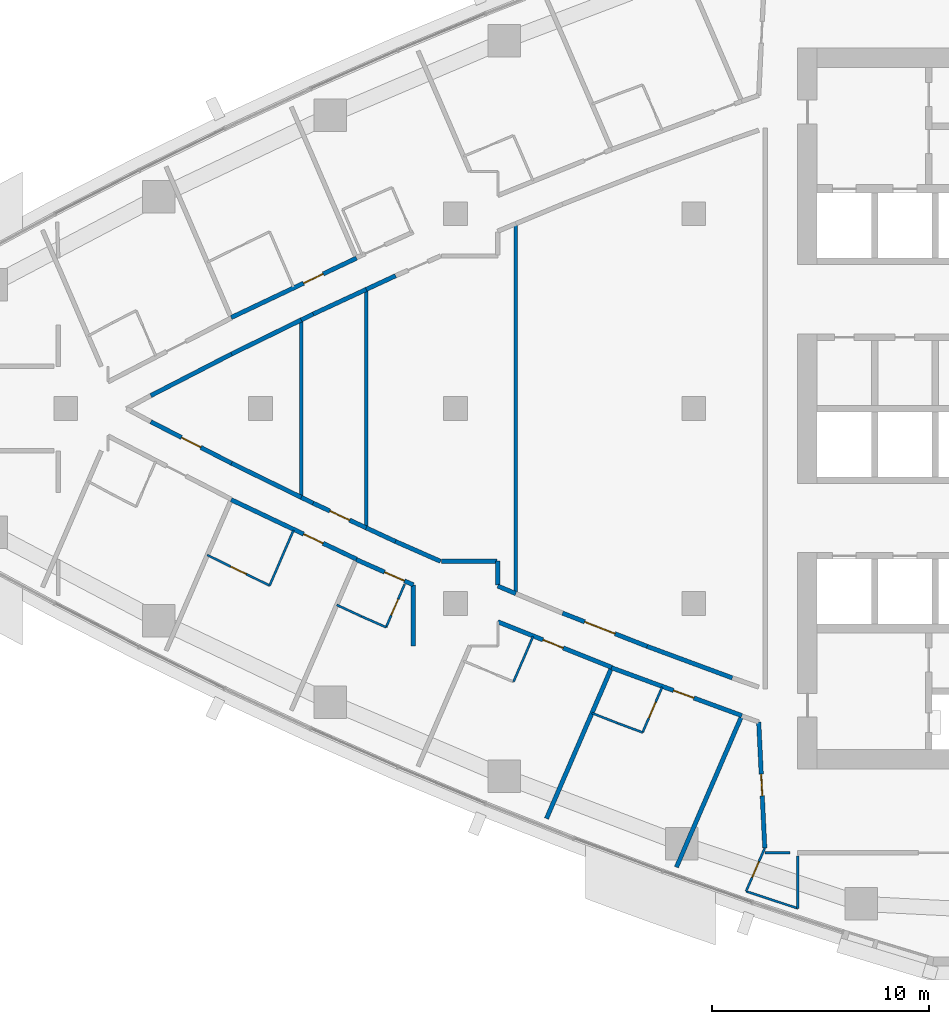
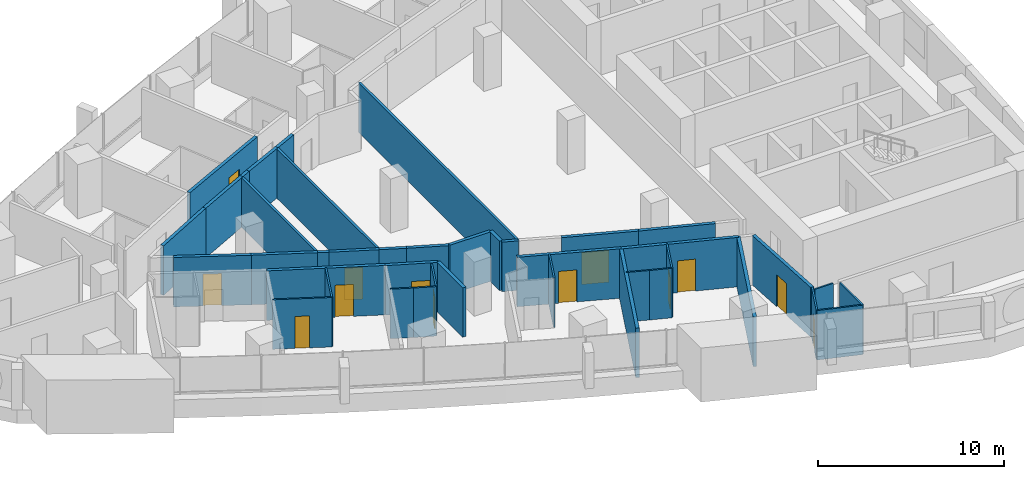
# One storey, part 9 of 17: 41 walls, 13 doors, 13 openings.
"""IFC4 building model written with IfcOpenShell, lengths in metres."""

from ifc_helpers import new_model, si_unit, direction, frame, frame_2d, origin, place, context, subcontext, project, spatial, rectangle, extrude, material, layer, layer_set, type_object, element, fill, save


model = new_model("IFC4")

# Units and contexts
model_context = context("Model", 3, precision=1e-05, world=origin(), true_north=direction((0.0, 1.0)))
body_context = subcontext(model_context, "Body", "Model", "MODEL_VIEW")
ifc_project = project(units=[si_unit("LENGTHUNIT", "METRE"), si_unit("AREAUNIT", "SQUARE_METRE"), si_unit("VOLUMEUNIT", "CUBIC_METRE"), si_unit("PLANEANGLEUNIT", "RADIAN"), si_unit("MASSUNIT", "GRAM", prefix="KILO")], contexts=[model_context])

# Site, building, storey
site_placement = place(None, origin())
site = spatial("IfcSite", under=ifc_project, at=site_placement, CompositionType="ELEMENT")
building_placement = place(site_placement, origin())
building = spatial("IfcBuilding", under=site, at=building_placement, Name="Ostrand Prow Hotel Tower", CompositionType="ELEMENT")
storey_placement = place(building_placement, frame((0.0, 0.0, 151.5)))
storey = spatial("IfcBuildingStorey", under=building, at=storey_placement, Name="L37", CompositionType="ELEMENT", Elevation=151.5)

# Wall
ifc_material_1 = material(Name="Plasterboard partition")
ifc_layer_1 = layer(ifc_material_1, 0.10009765625)
ifc_layer_set_1 = layer_set([ifc_layer_1], Name="Plasterboard partition")
wall_type_1 = type_object("IfcWallType", Name="Partition 100 bathroom wall", PredefinedType="PARTITIONING", material=ifc_layer_set_1)
wall_1_placement = place(storey_placement, frame((26.516357421875, -5.61669921875, 0.0), z_axis=(0.0, 0.0, 1.0), x_axis=(-0.395985125724, -0.918256924943, 0.0)))
element("IfcWall", 1, at=wall_1_placement, inside=storey, type_object=wall_type_1, Name="BATHROOM WALL", PredefinedType="PARTITIONING", context=body_context, shape_type="SweptSolid", body=[
    extrude(rectangle(XDim=2.780029296875, YDim=0.10009765625, at=frame_2d((1.39013671875, 0.0))), origin(), (0.0, 0.0, 1.0), 3.25),
])

# Wall, opening, door
wall_2_placement = place(storey_placement, frame((25.415283203125, -8.16943359375, 0.0), z_axis=(0.0, 0.0, 1.0), x_axis=(-0.898160376677, 0.439667985834, 0.0)))
wall_2 = element("IfcWall", 2, at=wall_2_placement, inside=storey, type_object=wall_type_1, Name="BATHROOM WALL", PredefinedType="PARTITIONING", context=body_context, shape_type="SweptSolid", body=[
    extrude(rectangle(XDim=3.203369140625, YDim=0.10009765625, at=frame_2d((1.6015625, 0.0))), origin(), (0.0, 0.0, 1.0), 3.25),
])
opening_1_placement = place(wall_2_placement, frame((1.199951171875, 0.0, 0.0)))
opening_1 = element("IfcOpeningElement", 3, at=opening_1_placement, cuts=wall_2, Name="Opening D2", PredefinedType="OPENING", context=body_context, shape_type="SweptSolid", body=[
    extrude(rectangle(XDim=0.800048828125, YDim=2.10009765625, at=frame_2d((0.39990234375, 1.050048828125))), frame((0.0, 0.06005859375, 0.0), z_axis=(0.0, -1.0, 0.0), x_axis=(1.0, 0.0, 0.0)), (0.0, 0.0, 1.0), 0.1201171875),
])
ifc_material_2 = material(Name="Timber door leaf", Category="wood")
door_type_1 = type_object("IfcDoorType", Name="Bathroom door 800", OperationType="SINGLE_SWING_LEFT", PredefinedType="DOOR", material=ifc_material_2)
door_1_placement = place(opening_1_placement, origin())
door_1 = element("IfcDoor", 4, at=door_1_placement, inside=storey, type_object=door_type_1, Name="DOOR", OperationType="SINGLE_SWING_LEFT", OverallHeight=2.10009765625, OverallWidth=0.800048828125, PredefinedType="DOOR", context=body_context, shape_type="SweptSolid", body=[
    extrude(rectangle(XDim=0.800048828125, YDim=2.10009765625, at=frame_2d((0.39990234375, 1.050048828125))), frame((0.0, 0.02490234375, 0.0), z_axis=(0.0, -1.0, 0.0), x_axis=(1.0, 0.0, 0.0)), (0.0, 0.0, 1.0), 0.050048828125),
])
fill(opening_1, door_1)

wall_3_placement = place(storey_placement, frame((31.64697265625, -8.113525390625, 0.0), z_axis=(0.0, 0.0, 1.0), x_axis=(-0.395926443446, -0.91828222861, 0.0)))
wall_3 = element("IfcWall", 5, at=wall_3_placement, inside=storey, type_object=wall_type_1, Name="BATHROOM WALL", PredefinedType="PARTITIONING", context=body_context, shape_type="SweptSolid", body=[
    extrude(rectangle(XDim=2.156982421875, YDim=0.10009765625, at=frame_2d((1.07861328125, 0.0))), origin(), (0.0, 0.0, 1.0), 3.25),
])
opening_2_placement = place(wall_3_placement, frame((0.75, 0.0, 0.0)))
opening_2 = element("IfcOpeningElement", 6, at=opening_2_placement, cuts=wall_3, Name="Opening D2", PredefinedType="OPENING", context=body_context, shape_type="SweptSolid", body=[
    extrude(rectangle(XDim=0.800048828125, YDim=2.10009765625, at=frame_2d((0.39990234375, 1.050048828125))), frame((0.0, 0.06005859375, 0.0), z_axis=(0.0, -1.0, 0.0), x_axis=(1.0, 0.0, 0.0)), (0.0, 0.0, 1.0), 0.1201171875),
])
door_2_placement = place(opening_2_placement, origin())
door_2 = element("IfcDoor", 7, at=door_2_placement, inside=storey, type_object=door_type_1, Name="DOOR", OperationType="SINGLE_SWING_LEFT", OverallHeight=2.10009765625, OverallWidth=0.800048828125, PredefinedType="DOOR", context=body_context, shape_type="SweptSolid", body=[
    extrude(rectangle(XDim=0.800048828125, YDim=2.10009765625, at=frame_2d((0.39990234375, 1.050048828125))), frame((0.0, 0.02490234375, 0.0), z_axis=(0.0, -1.0, 0.0), x_axis=(1.0, 0.0, 0.0)), (0.0, 0.0, 1.0), 0.050048828125),
])
fill(opening_2, door_2)

# Walls
wall_4_placement = place(storey_placement, frame((30.792724609375, -10.09423828125, 0.0), z_axis=(0.0, 0.0, 1.0), x_axis=(-0.915072564462, 0.403289228431, 0.0)))
element("IfcWall", 8, at=wall_4_placement, inside=storey, type_object=wall_type_1, Name="BATHROOM WALL", PredefinedType="PARTITIONING", context=body_context, shape_type="SweptSolid", body=[
    extrude(rectangle(XDim=1.233154296875, YDim=0.10009765625, at=frame_2d((0.61669921875, 0.0))), origin(), (0.0, 0.0, 1.0), 3.25),
])
wall_5_placement = place(storey_placement, frame((29.6640625, -9.596923828125, 0.0), z_axis=(0.0, 0.0, 1.0), x_axis=(-0.906856445091, 0.421439661159, 0.0)))
element("IfcWall", 9, at=wall_5_placement, inside=storey, type_object=wall_type_1, Name="BATHROOM WALL", PredefinedType="PARTITIONING", context=body_context, shape_type="SweptSolid", body=[
    extrude(rectangle(XDim=1.266845703125, YDim=0.10009765625, at=frame_2d((0.63330078125, 0.0))), origin(), (0.0, 0.0, 1.0), 3.25),
])
wall_6_placement = place(storey_placement, frame((37.578125, -10.52197265625, 0.0), z_axis=(0.0, 0.0, 1.0), x_axis=(-0.395975890988, -0.918260907235, 0.0)))
element("IfcWall", 10, at=wall_6_placement, inside=storey, type_object=wall_type_1, Name="BATHROOM WALL", PredefinedType="PARTITIONING", context=body_context, shape_type="SweptSolid", body=[
    extrude(rectangle(XDim=2.27685546875, YDim=0.10009765625, at=frame_2d((1.138427734375, 0.0))), origin(), (0.0, 0.0, 1.0), 3.25),
])

# Wall, opening, door
wall_7_placement = place(storey_placement, frame((43.540771484375, -12.857666015625, 0.0), z_axis=(0.0, 0.0, 1.0), x_axis=(-0.396050400308, -0.918228773463, 0.0)))
wall_7 = element("IfcWall", 11, at=wall_7_placement, inside=storey, type_object=wall_type_1, Name="BATHROOM WALL", PredefinedType="PARTITIONING", context=body_context, shape_type="SweptSolid", body=[
    extrude(rectangle(XDim=2.2802734375, YDim=0.10009765625, at=frame_2d((1.14013671875, 0.0))), origin(), (0.0, 0.0, 1.0), 3.25),
])
opening_3_placement = place(wall_7_placement, frame((0.75, 0.0, 0.0)))
opening_3 = element("IfcOpeningElement", 12, at=opening_3_placement, cuts=wall_7, Name="Opening D2", PredefinedType="OPENING", context=body_context, shape_type="SweptSolid", body=[
    extrude(rectangle(XDim=0.800048828125, YDim=2.10009765625, at=frame_2d((0.39990234375, 1.050048828125))), frame((0.0, 0.06005859375, 0.0), z_axis=(0.0, -1.0, 0.0), x_axis=(1.0, 0.0, 0.0)), (0.0, 0.0, 1.0), 0.1201171875),
])
door_3_placement = place(opening_3_placement, origin())
door_3 = element("IfcDoor", 13, at=door_3_placement, inside=storey, type_object=door_type_1, Name="DOOR", OperationType="SINGLE_SWING_LEFT", OverallHeight=2.10009765625, OverallWidth=0.800048828125, PredefinedType="DOOR", context=body_context, shape_type="SweptSolid", body=[
    extrude(rectangle(XDim=0.800048828125, YDim=2.10009765625, at=frame_2d((0.39990234375, 1.050048828125))), frame((0.0, 0.02490234375, 0.0), z_axis=(0.0, -1.0, 0.0), x_axis=(1.0, 0.0, 0.0)), (0.0, 0.0, 1.0), 0.050048828125),
])
fill(opening_3, door_3)

# Walls
wall_8_placement = place(storey_placement, frame((42.6376953125, -14.951416015625, 0.0), z_axis=(0.0, 0.0, 1.0), x_axis=(-0.937806575222, 0.34715821677, 0.0)))
element("IfcWall", 14, at=wall_8_placement, inside=storey, type_object=wall_type_1, Name="BATHROOM WALL", PredefinedType="PARTITIONING", context=body_context, shape_type="SweptSolid", body=[
    extrude(rectangle(XDim=1.22216796875, YDim=0.10009765625, at=frame_2d((0.611083984375, 0.0))), origin(), (0.0, 0.0, 1.0), 3.25),
])
wall_9_placement = place(storey_placement, frame((41.491455078125, -14.52685546875, 0.0), z_axis=(0.0, 0.0, 1.0), x_axis=(-0.930605363194, 0.36602412215, 0.0)))
element("IfcWall", 15, at=wall_9_placement, inside=storey, type_object=wall_type_1, Name="BATHROOM WALL", PredefinedType="PARTITIONING", context=body_context, shape_type="SweptSolid", body=[
    extrude(rectangle(XDim=1.280029296875, YDim=0.10009765625, at=frame_2d((0.64013671875, 0.0))), origin(), (0.0, 0.0, 1.0), 3.25),
])

# Wall, opening, door
wall_10_placement = place(storey_placement, frame((47.416015625, -22.2890625, 0.0), z_axis=(0.0, 0.0, 1.0), x_axis=(0.396028123143, 0.918238381729, 0.0)))
wall_10 = element("IfcWall", 16, at=wall_10_placement, inside=storey, type_object=wall_type_1, Name="BATHROOM WALL", PredefinedType="PARTITIONING", context=body_context, shape_type="SweptSolid", body=[
    extrude(rectangle(XDim=2.1787109375, YDim=0.10009765625, at=frame_2d((1.08935546875, 0.0))), origin(), (0.0, 0.0, 1.0), 3.25),
])
opening_4_placement = place(wall_10_placement, frame((0.699951171875, 0.0, 0.0)))
opening_4 = element("IfcOpeningElement", 17, at=opening_4_placement, cuts=wall_10, Name="Opening D2", PredefinedType="OPENING", context=body_context, shape_type="SweptSolid", body=[
    extrude(rectangle(XDim=0.800048828125, YDim=2.10009765625, at=frame_2d((0.39990234375, 1.050048828125))), frame((0.0, 0.06005859375, 0.0), z_axis=(0.0, -1.0, 0.0), x_axis=(1.0, 0.0, 0.0)), (0.0, 0.0, 1.0), 0.1201171875),
])
door_4_placement = place(opening_4_placement, origin())
door_4 = element("IfcDoor", 18, at=door_4_placement, inside=storey, type_object=door_type_1, Name="DOOR", OperationType="SINGLE_SWING_LEFT", OverallHeight=2.10009765625, OverallWidth=0.800048828125, PredefinedType="DOOR", context=body_context, shape_type="SweptSolid", body=[
    extrude(rectangle(XDim=0.800048828125, YDim=2.10009765625, at=frame_2d((0.39990234375, 1.050048828125))), frame((0.0, 0.02490234375, 0.0), z_axis=(0.0, -1.0, 0.0), x_axis=(1.0, 0.0, 0.0)), (0.0, 0.0, 1.0), 0.050048828125),
])
fill(opening_4, door_4)

# Walls
wall_11_placement = place(storey_placement, frame((48.298583984375, -20.5048828125, 0.0), z_axis=(0.0, 0.0, 1.0), x_axis=(1.0, 0.0, 0.0)))
element("IfcWall", 19, at=wall_11_placement, inside=storey, type_object=wall_type_1, Name="BATHROOM WALL", PredefinedType="PARTITIONING", context=body_context, shape_type="SweptSolid", body=[
    extrude(rectangle(XDim=1.13525390625, YDim=0.10009765625, at=frame_2d((0.567626953125, 0.0))), origin(), (0.0, 0.0, 1.0), 3.25),
])
wall_12_placement = place(storey_placement, frame((49.800048828125, -20.65576171875, 0.0), z_axis=(0.0, 0.0, 1.0), x_axis=(0.0, -1.0, 0.0)))
element("IfcWall", 20, at=wall_12_placement, inside=storey, type_object=wall_type_1, Name="BATHROOM WALL", PredefinedType="PARTITIONING", context=body_context, shape_type="SweptSolid", body=[
    extrude(rectangle(XDim=2.41845703125, YDim=0.10009765625, at=frame_2d((1.209228515625, 0.0))), origin(), (0.0, 0.0, 1.0), 3.25),
])
wall_13_placement = place(storey_placement, frame((49.800048828125, -23.07421875, 0.0), z_axis=(0.0, 0.0, 1.0), x_axis=(-0.949844078437, 0.312723882455, 0.0)))
element("IfcWall", 21, at=wall_13_placement, inside=storey, type_object=wall_type_1, Name="BATHROOM WALL", PredefinedType="PARTITIONING", context=body_context, shape_type="SweptSolid", body=[
    extrude(rectangle(XDim=2.510009765625, YDim=0.10009765625, at=frame_2d((1.2548828125, 0.0))), origin(), (0.0, 0.0, 1.0), 3.25),
])
ifc_material_3 = material(Name="Plasterboard partition")
ifc_layer_2 = layer(ifc_material_3, 0.14990234375)
ifc_layer_set_2 = layer_set([ifc_layer_2], Name="Plasterboard partition")
wall_type_2 = type_object("IfcWallType", Name="Partition 150 room partition", PredefinedType="PARTITIONING", material=ifc_layer_set_2)
wall_14_placement = place(storey_placement, frame((26.875, -4.096435546875, 0.0), z_axis=(0.0, 0.0, 1.0), x_axis=(0.0, 1.0, 0.0)))
element("IfcWall", 22, at=wall_14_placement, inside=storey, type_object=wall_type_2, Name="ROOM PARTITION", PredefinedType="PARTITIONING", context=body_context, shape_type="SweptSolid", body=[
    extrude(rectangle(XDim=8.19287109375, YDim=0.14990234375, at=frame_2d((4.096435546875, 0.0))), origin(), (0.0, 0.0, 1.0), 3.25),
])
wall_15_placement = place(storey_placement, frame((29.875, -5.504638671875, 0.0), z_axis=(0.0, 0.0, 1.0), x_axis=(0.0, 1.0, 0.0)))
element("IfcWall", 23, at=wall_15_placement, inside=storey, type_object=wall_type_2, Name="ROOM PARTITION", PredefinedType="PARTITIONING", context=body_context, shape_type="SweptSolid", body=[
    extrude(rectangle(XDim=11.00927734375, YDim=0.14990234375, at=frame_2d((5.504638671875, 0.0))), origin(), (0.0, 0.0, 1.0), 3.25),
])
wall_16_placement = place(storey_placement, frame((36.784423828125, -8.541015625, 0.0), z_axis=(0.0, 0.0, 1.0), x_axis=(0.0, 1.0, 0.0)))
element("IfcWall", 24, at=wall_16_placement, inside=storey, type_object=wall_type_2, Name="ROOM PARTITION", PredefinedType="PARTITIONING", context=body_context, shape_type="SweptSolid", body=[
    extrude(rectangle(XDim=17.08203125, YDim=0.14990234375, at=frame_2d((8.541015625, 0.0))), origin(), (0.0, 0.0, 1.0), 3.25),
])

# Wall, opening, door
ifc_material_4 = material(Name="Plasterboard partition")
ifc_layer_3 = layer(ifc_material_4, 0.199951171875)
ifc_layer_set_3 = layer_set([ifc_layer_3], Name="Plasterboard partition")
wall_type_3 = type_object("IfcWallType", Name="Partition 200 corridor wall", PredefinedType="PARTITIONING", material=ifc_layer_set_3)
wall_17_placement = place(storey_placement, frame((23.64013671875, 4.205322265625, 0.0), z_axis=(0.0, 0.0, 1.0), x_axis=(0.90349162151, 0.428605751082, 0.0)))
wall_17 = element("IfcWall", 25, at=wall_17_placement, inside=storey, type_object=wall_type_3, Name="CORRIDOR WALL", PredefinedType="PARTITIONING", context=body_context, shape_type="SweptSolid", body=[
    extrude(rectangle(XDim=6.404296875, YDim=0.199951171875, at=frame_2d((3.2021484375, 0.0))), origin(), (0.0, 0.0, 1.0), 3.25),
])
opening_5_placement = place(wall_17_placement, frame((3.699951171875, 0.0, 0.0)))
opening_5 = element("IfcOpeningElement", 26, at=opening_5_placement, cuts=wall_17, Name="Opening D1R", PredefinedType="OPENING", context=body_context, shape_type="SweptSolid", body=[
    extrude(rectangle(XDim=1.0, YDim=2.10009765625, at=frame_2d((0.5, 1.050048828125))), frame((0.0, 0.10986328125, 0.0), z_axis=(0.0, -1.0, 0.0), x_axis=(1.0, 0.0, 0.0)), (0.0, 0.0, 1.0), 0.219970703125),
])
ifc_material_5 = material(Name="Timber door leaf", Category="wood")
door_type_2 = type_object("IfcDoorType", Name="Guest room door 1000 right", OperationType="SINGLE_SWING_RIGHT", PredefinedType="DOOR", material=ifc_material_5)
door_5_placement = place(opening_5_placement, origin())
door_5 = element("IfcDoor", 27, at=door_5_placement, inside=storey, type_object=door_type_2, Name="DOOR", OperationType="SINGLE_SWING_RIGHT", OverallHeight=2.10009765625, OverallWidth=1.0, PredefinedType="DOOR", context=body_context, shape_type="SweptSolid", body=[
    extrude(rectangle(XDim=1.0, YDim=2.10009765625, at=frame_2d((0.5, 1.050048828125))), frame((0.0, 0.02490234375, 0.0), z_axis=(0.0, -1.0, 0.0), x_axis=(1.0, 0.0, 0.0)), (0.0, 0.0, 1.0), 0.050048828125),
])
fill(opening_5, door_5)

wall_18_placement = place(storey_placement, frame((23.64013671875, -4.205322265625, 0.0), z_axis=(0.0, 0.0, 1.0), x_axis=(0.90349162151, -0.428605751082, 0.0)))
wall_18 = element("IfcWall", 28, at=wall_18_placement, inside=storey, type_object=wall_type_3, Name="CORRIDOR WALL", PredefinedType="PARTITIONING", context=body_context, shape_type="SweptSolid", body=[
    extrude(rectangle(XDim=6.404296875, YDim=0.199951171875, at=frame_2d((3.2021484375, 0.0))), origin(), (0.0, 0.0, 1.0), 3.25),
])
opening_6_placement = place(wall_18_placement, frame((3.699951171875, 0.0, 0.0)))
opening_6 = element("IfcOpeningElement", 29, at=opening_6_placement, cuts=wall_18, Name="Opening D1", PredefinedType="OPENING", context=body_context, shape_type="SweptSolid", body=[
    extrude(rectangle(XDim=1.0, YDim=2.10009765625, at=frame_2d((0.5, 1.050048828125))), frame((0.0, 0.10986328125, 0.0), z_axis=(0.0, -1.0, 0.0), x_axis=(1.0, 0.0, 0.0)), (0.0, 0.0, 1.0), 0.219970703125),
])
ifc_material_6 = material(Name="Timber door leaf", Category="wood")
door_type_3 = type_object("IfcDoorType", Name="Guest room door 1000", OperationType="SINGLE_SWING_LEFT", PredefinedType="DOOR", material=ifc_material_6)
door_6_placement = place(opening_6_placement, origin())
door_6 = element("IfcDoor", 30, at=door_6_placement, inside=storey, type_object=door_type_3, Name="DOOR", OperationType="SINGLE_SWING_LEFT", OverallHeight=2.10009765625, OverallWidth=1.0, PredefinedType="DOOR", context=body_context, shape_type="SweptSolid", body=[
    extrude(rectangle(XDim=1.0, YDim=2.10009765625, at=frame_2d((0.5, 1.050048828125))), frame((0.0, 0.02490234375, 0.0), z_axis=(0.0, -1.0, 0.0), x_axis=(1.0, 0.0, 0.0)), (0.0, 0.0, 1.0), 0.050048828125),
])
fill(opening_6, door_6)

wall_19_placement = place(storey_placement, frame((29.418212890625, -6.968505859375, 0.0), z_axis=(0.0, 0.0, 1.0), x_axis=(0.914223747947, -0.405209746539, 0.0)))
wall_19 = element("IfcWall", 31, at=wall_19_placement, inside=storey, type_object=wall_type_3, Name="CORRIDOR WALL", PredefinedType="PARTITIONING", context=body_context, shape_type="SweptSolid", body=[
    extrude(rectangle(XDim=2.878662109375, YDim=0.199951171875, at=frame_2d((1.439453125, 0.0))), origin(), (0.0, 0.0, 1.0), 3.25),
])
opening_7_placement = place(wall_19_placement, frame((1.4287109375, 0.0, 0.0)))
opening_7 = element("IfcOpeningElement", 32, at=opening_7_placement, cuts=wall_19, Name="Opening D1", PredefinedType="OPENING", context=body_context, shape_type="SweptSolid", body=[
    extrude(rectangle(XDim=1.0, YDim=2.10009765625, at=frame_2d((0.5, 1.050048828125))), frame((0.0, 0.10986328125, 0.0), z_axis=(0.0, -1.0, 0.0), x_axis=(1.0, 0.0, 0.0)), (0.0, 0.0, 1.0), 0.219970703125),
])
door_7_placement = place(opening_7_placement, origin())
door_7 = element("IfcDoor", 33, at=door_7_placement, inside=storey, type_object=door_type_3, Name="DOOR", OperationType="SINGLE_SWING_LEFT", OverallHeight=2.10009765625, OverallWidth=1.0, PredefinedType="DOOR", context=body_context, shape_type="SweptSolid", body=[
    extrude(rectangle(XDim=1.0, YDim=2.10009765625, at=frame_2d((0.5, 1.050048828125))), frame((0.0, 0.02490234375, 0.0), z_axis=(0.0, -1.0, 0.0), x_axis=(1.0, 0.0, 0.0)), (0.0, 0.0, 1.0), 0.050048828125),
])
fill(opening_7, door_7)

wall_20_placement = place(storey_placement, frame((35.949951171875, -9.840087890625, 0.0), z_axis=(0.0, 0.0, 1.0), x_axis=(0.92844400648, -0.371472376943, 0.0)))
wall_20 = element("IfcWall", 34, at=wall_20_placement, inside=storey, type_object=wall_type_3, Name="CORRIDOR WALL", PredefinedType="PARTITIONING", context=body_context, shape_type="SweptSolid", body=[
    extrude(rectangle(XDim=5.667236328125, YDim=0.199951171875, at=frame_2d((2.83349609375, 0.0))), origin(), (0.0, 0.0, 1.0), 3.25),
])
opening_8_placement = place(wall_20_placement, frame((2.25, 0.0, 0.0)))
opening_8 = element("IfcOpeningElement", 35, at=opening_8_placement, cuts=wall_20, Name="Opening D1", PredefinedType="OPENING", context=body_context, shape_type="SweptSolid", body=[
    extrude(rectangle(XDim=1.0, YDim=2.10009765625, at=frame_2d((0.5, 1.050048828125))), frame((0.0, 0.10986328125, 0.0), z_axis=(0.0, -1.0, 0.0), x_axis=(1.0, 0.0, 0.0)), (0.0, 0.0, 1.0), 0.219970703125),
])
door_8_placement = place(opening_8_placement, origin())
door_8 = element("IfcDoor", 36, at=door_8_placement, inside=storey, type_object=door_type_3, Name="DOOR", OperationType="SINGLE_SWING_LEFT", OverallHeight=2.10009765625, OverallWidth=1.0, PredefinedType="DOOR", context=body_context, shape_type="SweptSolid", body=[
    extrude(rectangle(XDim=1.0, YDim=2.10009765625, at=frame_2d((0.5, 1.050048828125))), frame((0.0, 0.02490234375, 0.0), z_axis=(0.0, -1.0, 0.0), x_axis=(1.0, 0.0, 0.0)), (0.0, 0.0, 1.0), 0.050048828125),
])
fill(opening_8, door_8)

wall_21_placement = place(storey_placement, frame((41.20361328125, -11.963623046875, 0.0), z_axis=(0.0, 0.0, 1.0), x_axis=(0.938614648514, -0.34496745005, 0.0)))
wall_21 = element("IfcWall", 37, at=wall_21_placement, inside=storey, type_object=wall_type_3, Name="CORRIDOR WALL", PredefinedType="PARTITIONING", context=body_context, shape_type="SweptSolid", body=[
    extrude(rectangle(XDim=6.409912109375, YDim=0.199951171875, at=frame_2d((3.205078125, 0.0))), origin(), (0.0, 0.0, 1.0), 3.25),
])
opening_9_placement = place(wall_21_placement, frame((3.050048828125, 0.0, 0.0)))
opening_9 = element("IfcOpeningElement", 38, at=opening_9_placement, cuts=wall_21, Name="Opening D1", PredefinedType="OPENING", context=body_context, shape_type="SweptSolid", body=[
    extrude(rectangle(XDim=1.0, YDim=2.10009765625, at=frame_2d((0.5, 1.050048828125))), frame((0.0, 0.10986328125, 0.0), z_axis=(0.0, -1.0, 0.0), x_axis=(1.0, 0.0, 0.0)), (0.0, 0.0, 1.0), 0.219970703125),
])
door_9_placement = place(opening_9_placement, origin())
door_9 = element("IfcDoor", 39, at=door_9_placement, inside=storey, type_object=door_type_3, Name="DOOR", OperationType="SINGLE_SWING_LEFT", OverallHeight=2.10009765625, OverallWidth=1.0, PredefinedType="DOOR", context=body_context, shape_type="SweptSolid", body=[
    extrude(rectangle(XDim=1.0, YDim=2.10009765625, at=frame_2d((0.5, 1.050048828125))), frame((0.0, 0.02490234375, 0.0), z_axis=(0.0, -1.0, 0.0), x_axis=(1.0, 0.0, 0.0)), (0.0, 0.0, 1.0), 0.050048828125),
])
fill(opening_9, door_9)

wall_22_placement = place(storey_placement, frame((23.65869140625, -2.52197265625, 0.0), z_axis=(0.0, 0.0, 1.0), x_axis=(-0.889140337289, 0.457634636589, 0.0)))
wall_22 = element("IfcWall", 40, at=wall_22_placement, inside=storey, type_object=wall_type_3, Name="CORRIDOR WALL", PredefinedType="PARTITIONING", context=body_context, shape_type="SweptSolid", body=[
    extrude(rectangle(XDim=4.1953125, YDim=0.199951171875, at=frame_2d((2.09765625, 0.0))), origin(), (0.0, 0.0, 1.0), 3.25),
])
opening_10_placement = place(wall_22_placement, frame((1.59765625, 0.0, 0.0)))
opening_10 = element("IfcOpeningElement", 41, at=opening_10_placement, cuts=wall_22, Name="Opening D1", PredefinedType="OPENING", context=body_context, shape_type="SweptSolid", body=[
    extrude(rectangle(XDim=1.0, YDim=2.10009765625, at=frame_2d((0.5, 1.050048828125))), frame((0.0, 0.10986328125, 0.0), z_axis=(0.0, -1.0, 0.0), x_axis=(1.0, 0.0, 0.0)), (0.0, 0.0, 1.0), 0.219970703125),
])
door_10_placement = place(opening_10_placement, origin())
door_10 = element("IfcDoor", 42, at=door_10_placement, inside=storey, type_object=door_type_3, Name="DOOR", OperationType="SINGLE_SWING_LEFT", OverallHeight=2.10009765625, OverallWidth=1.0, PredefinedType="DOOR", context=body_context, shape_type="SweptSolid", body=[
    extrude(rectangle(XDim=1.0, YDim=2.10009765625, at=frame_2d((0.5, 1.050048828125))), frame((0.0, 0.02490234375, 0.0), z_axis=(0.0, -1.0, 0.0), x_axis=(1.0, 0.0, 0.0)), (0.0, 0.0, 1.0), 0.050048828125),
])
fill(opening_10, door_10)

# Walls
wall_23_placement = place(storey_placement, frame((19.928466796875, 0.60205078125, 0.0), z_axis=(0.0, 0.0, 1.0), x_axis=(0.889140337289, 0.457634636589, 0.0)))
element("IfcWall", 43, at=wall_23_placement, inside=storey, type_object=wall_type_3, Name="CORRIDOR WALL", PredefinedType="PARTITIONING", context=body_context, shape_type="SweptSolid", body=[
    extrude(rectangle(XDim=4.1953125, YDim=0.199951171875, at=frame_2d((2.09765625, 0.0))), origin(), (0.0, 0.0, 1.0), 3.25),
])
for number, where, z_axis, x_axis, name in (
    (44, (23.65869140625, 2.52197265625, 0.0), (0.0, 0.0, 1.0), (0.898158871209, 0.439671061214, 0.0), "CORRIDOR WALL"),
    (45, (26.875, -4.096435546875, 0.0), (0.0, 0.0, 1.0), (-0.898158871209, 0.439671061214, 0.0), "CORRIDOR WALL"),
):
    element("IfcWall", number, at=place(storey_placement, frame(where, z_axis=z_axis, x_axis=x_axis)), inside=storey, type_object=wall_type_3, Name=name, PredefinedType="PARTITIONING", context=body_context, shape_type="SweptSolid", body=[
        extrude(rectangle(XDim=3.5810546875, YDim=0.199951171875, at=frame_2d((1.79052734375, 0.0))), origin(), (0.0, 0.0, 1.0), 3.25),
    ])

# Wall, opening, door
wall_24_placement = place(storey_placement, frame((29.875, -5.504638671875, 0.0), z_axis=(0.0, 0.0, 1.0), x_axis=(-0.906831253463, 0.421493864419, 0.0)))
wall_24 = element("IfcWall", 46, at=wall_24_placement, inside=storey, type_object=wall_type_3, Name="CORRIDOR WALL", PredefinedType="PARTITIONING", context=body_context, shape_type="SweptSolid", body=[
    extrude(rectangle(XDim=2.69970703125, YDim=0.199951171875, at=frame_2d((1.349853515625, 0.0))), origin(), (0.0, 0.0, 1.0), 3.25),
])
opening_11_placement = place(wall_24_placement, frame((0.849853515625, 0.0, 0.0)))
opening_11 = element("IfcOpeningElement", 47, at=opening_11_placement, cuts=wall_24, Name="Opening D1R", PredefinedType="OPENING", context=body_context, shape_type="SweptSolid", body=[
    extrude(rectangle(XDim=1.0, YDim=2.10009765625, at=frame_2d((0.5, 1.050048828125))), frame((0.0, 0.10986328125, 0.0), z_axis=(0.0, -1.0, 0.0), x_axis=(1.0, 0.0, 0.0)), (0.0, 0.0, 1.0), 0.219970703125),
])
door_11_placement = place(opening_11_placement, origin())
door_11 = element("IfcDoor", 48, at=door_11_placement, inside=storey, type_object=door_type_2, Name="DOOR", OperationType="SINGLE_SWING_RIGHT", OverallHeight=2.10009765625, OverallWidth=1.0, PredefinedType="DOOR", context=body_context, shape_type="SweptSolid", body=[
    extrude(rectangle(XDim=1.0, YDim=2.10009765625, at=frame_2d((0.5, 1.050048828125))), frame((0.0, 0.02490234375, 0.0), z_axis=(0.0, -1.0, 0.0), x_axis=(1.0, 0.0, 0.0)), (0.0, 0.0, 1.0), 0.050048828125),
])
fill(opening_11, door_11)

# Walls
for number, where, z_axis, x_axis, name in (
    (49, (27.4267578125, -4.36669921875, 0.0), (0.0, 0.0, 1.0), (-0.898053097245, 0.439887070199, 0.0), "CORRIDOR WALL"),
    (50, (26.875, 4.096435546875, 0.0), (0.0, 0.0, 1.0), (0.898053097245, 0.439887070199, 0.0), "CORRIDOR WALL"),
):
    element("IfcWall", number, at=place(storey_placement, frame(where, z_axis=z_axis, x_axis=x_axis)), inside=storey, type_object=wall_type_3, Name=name, PredefinedType="PARTITIONING", context=body_context, shape_type="SweptSolid", body=[
        extrude(rectangle(XDim=0.614501953125, YDim=0.199951171875, at=frame_2d((0.30712890625, 0.0))), origin(), (0.0, 0.0, 1.0), 3.25),
    ])
wall_25_placement = place(storey_placement, frame((27.4267578125, 4.36669921875, 0.0), z_axis=(0.0, 0.0, 1.0), x_axis=(0.906831253463, 0.421493864419, 0.0)))
element("IfcWall", 51, at=wall_25_placement, inside=storey, type_object=wall_type_3, Name="CORRIDOR WALL", PredefinedType="PARTITIONING", context=body_context, shape_type="SweptSolid", body=[
    extrude(rectangle(XDim=2.69970703125, YDim=0.199951171875, at=frame_2d((1.349853515625, 0.0))), origin(), (0.0, 0.0, 1.0), 3.25),
])
wall_26_placement = place(storey_placement, frame((36.784423828125, -8.541015625, 0.0), z_axis=(0.0, 0.0, 1.0), x_axis=(-0.922997009646, 0.384807120756, 0.0)))
element("IfcWall", 52, at=wall_26_placement, inside=storey, type_object=wall_type_3, Name="CORRIDOR WALL", PredefinedType="PARTITIONING", context=body_context, shape_type="SweptSolid", body=[
    extrude(rectangle(XDim=0.904052734375, YDim=0.199951171875, at=frame_2d((0.4521484375, 0.0))), origin(), (0.0, 0.0, 1.0), 3.25),
])
wall_27_placement = place(storey_placement, frame((33.307861328125, -7.050048828125, 0.0), z_axis=(0.0, 0.0, 1.0), x_axis=(-0.915102334452, 0.403221672881, 0.0)))
element("IfcWall", 53, at=wall_27_placement, inside=storey, type_object=wall_type_3, Name="CORRIDOR WALL", PredefinedType="PARTITIONING", context=body_context, shape_type="SweptSolid", body=[
    extrude(rectangle(XDim=2.269287109375, YDim=0.199951171875, at=frame_2d((1.134765625, 0.0))), origin(), (0.0, 0.0, 1.0), 3.25),
])
for number, where, z_axis, x_axis, name in (
    (54, (31.231201171875, -6.135009765625, 0.0), (0.0, 0.0, 1.0), (-0.90682850945, 0.421499768029, 0.0), "CORRIDOR WALL"),
    (55, (29.875, 5.504638671875, 0.0), (0.0, 0.0, 1.0), (0.90682850945, 0.421499768029, 0.0), "CORRIDOR WALL"),
):
    element("IfcWall", number, at=place(storey_placement, frame(where, z_axis=z_axis, x_axis=x_axis)), inside=storey, type_object=wall_type_3, Name=name, PredefinedType="PARTITIONING", context=body_context, shape_type="SweptSolid", body=[
        extrude(rectangle(XDim=1.49560546875, YDim=0.199951171875, at=frame_2d((0.747802734375, 0.0))), origin(), (0.0, 0.0, 1.0), 3.25),
    ])

# Wall, opening, door
wall_28_placement = place(storey_placement, frame((42.84716796875, -10.976806640625, 0.0), z_axis=(0.0, 0.0, 1.0), x_axis=(-0.930576677263, 0.36609704688, 0.0)))
wall_28 = element("IfcWall", 56, at=wall_28_placement, inside=storey, type_object=wall_type_3, Name="CORRIDOR WALL", PredefinedType="PARTITIONING", context=body_context, shape_type="SweptSolid", body=[
    extrude(rectangle(XDim=4.1953125, YDim=0.199951171875, at=frame_2d((2.09765625, 0.0))), origin(), (0.0, 0.0, 1.0), 3.25),
])
opening_12_placement = place(wall_28_placement, frame((1.59765625, 0.0, 0.0)))
opening_12 = element("IfcOpeningElement", 57, at=opening_12_placement, cuts=wall_28, Name="Opening D15", PredefinedType="OPENING", context=body_context, shape_type="SweptSolid", body=[
    extrude(rectangle(XDim=1.5, YDim=2.10009765625, at=frame_2d((0.75, 1.050048828125))), frame((0.0, 0.10986328125, 0.0), z_axis=(0.0, -1.0, 0.0), x_axis=(1.0, 0.0, 0.0)), (0.0, 0.0, 1.0), 0.219970703125),
])
ifc_material_7 = material(Name="Timber door leaf", Category="wood")
door_type_4 = type_object("IfcDoorType", Name="Double door 1500", OperationType="DOUBLE_DOOR_SINGLE_SWING", PredefinedType="DOOR", material=ifc_material_7)
door_12_placement = place(opening_12_placement, origin())
door_12 = element("IfcDoor", 58, at=door_12_placement, inside=storey, type_object=door_type_4, Name="DOOR", OperationType="DOUBLE_DOOR_SINGLE_SWING", OverallHeight=2.10009765625, OverallWidth=1.5, PredefinedType="DOOR", context=body_context, shape_type="SweptSolid", body=[
    extrude(rectangle(XDim=1.5, YDim=2.10009765625, at=frame_2d((0.75, 1.050048828125))), frame((0.0, 0.02490234375, 0.0), z_axis=(0.0, -1.0, 0.0), x_axis=(1.0, 0.0, 0.0)), (0.0, 0.0, 1.0), 0.050048828125),
])
fill(opening_12, door_12)

# Wall
wall_29_placement = place(storey_placement, frame((46.78125, -12.43408203125, 0.0), z_axis=(0.0, 0.0, 1.0), x_axis=(-0.937732614305, 0.347357948044, 0.0)))
element("IfcWall", 59, at=wall_29_placement, inside=storey, type_object=wall_type_3, Name="CORRIDOR WALL", PredefinedType="PARTITIONING", context=body_context, shape_type="SweptSolid", body=[
    extrude(rectangle(XDim=4.1953125, YDim=0.199951171875, at=frame_2d((2.09765625, 0.0))), origin(), (0.0, 0.0, 1.0), 3.25),
])

# Wall, opening, door
wall_30_placement = place(storey_placement, frame((48.0, -14.467041015625, 0.0), z_axis=(0.0, 0.0, 1.0), x_axis=(0.047837808481, -0.998855116661, 0.0)))
wall_30 = element("IfcWall", 60, at=wall_30_placement, inside=storey, type_object=wall_type_3, Name="CORRIDOR WALL", PredefinedType="PARTITIONING", context=body_context, shape_type="SweptSolid", body=[
    extrude(rectangle(XDim=5.828125, YDim=0.199951171875, at=frame_2d((2.9140625, 0.0))), origin(), (0.0, 0.0, 1.0), 3.25),
])
opening_13_placement = place(wall_30_placement, frame((2.4140625, 0.0, 0.0)))
opening_13 = element("IfcOpeningElement", 61, at=opening_13_placement, cuts=wall_30, Name="Opening D1R", PredefinedType="OPENING", context=body_context, shape_type="SweptSolid", body=[
    extrude(rectangle(XDim=1.0, YDim=2.10009765625, at=frame_2d((0.5, 1.050048828125))), frame((0.0, 0.10986328125, 0.0), z_axis=(0.0, -1.0, 0.0), x_axis=(1.0, 0.0, 0.0)), (0.0, 0.0, 1.0), 0.219970703125),
])
door_13_placement = place(opening_13_placement, origin())
door_13 = element("IfcDoor", 62, at=door_13_placement, inside=storey, type_object=door_type_2, Name="DOOR", OperationType="SINGLE_SWING_RIGHT", OverallHeight=2.10009765625, OverallWidth=1.0, PredefinedType="DOOR", context=body_context, shape_type="SweptSolid", body=[
    extrude(rectangle(XDim=1.0, YDim=2.10009765625, at=frame_2d((0.5, 1.050048828125))), frame((0.0, 0.02490234375, 0.0), z_axis=(0.0, -1.0, 0.0), x_axis=(1.0, 0.0, 0.0)), (0.0, 0.0, 1.0), 0.050048828125),
])
fill(opening_13, door_13)

# Walls
wall_31_placement = place(storey_placement, frame((35.954833984375, -8.153564453125, 0.0), z_axis=(0.0, 0.0, 1.0), x_axis=(-0.002643744892, 0.9999965053, 0.0)))
element("IfcWall", 63, at=wall_31_placement, inside=storey, type_object=wall_type_3, Name="CORRIDOR WALL", PredefinedType="PARTITIONING", context=body_context, shape_type="SweptSolid", body=[
    extrude(rectangle(XDim=1.108154296875, YDim=0.199951171875, at=frame_2d((0.55419921875, 0.0))), origin(), (0.0, 0.0, 1.0), 3.25),
])
wall_32_placement = place(storey_placement, frame((35.911865234375, -7.04541015625, 0.0), z_axis=(0.0, 0.0, 1.0), x_axis=(-0.999999981873, 0.000190403652, 0.0)))
element("IfcWall", 64, at=wall_32_placement, inside=storey, type_object=wall_type_3, Name="CORRIDOR WALL", PredefinedType="PARTITIONING", context=body_context, shape_type="SweptSolid", body=[
    extrude(rectangle(XDim=2.564453125, YDim=0.199951171875, at=frame_2d((1.2822265625, 0.0))), origin(), (0.0, 0.0, 1.0), 3.25),
])
wall_33_placement = place(storey_placement, frame((32.050048828125, -8.135009765625, 0.0), z_axis=(0.0, 0.0, 1.0), x_axis=(-0.001299262654, -0.999999155958, 0.0)))
element("IfcWall", 65, at=wall_33_placement, inside=storey, type_object=wall_type_3, Name="CORRIDOR WALL", PredefinedType="PARTITIONING", context=body_context, shape_type="SweptSolid", body=[
    extrude(rectangle(XDim=2.818603515625, YDim=0.199951171875, at=frame_2d((1.4091796875, 0.0))), origin(), (0.0, 0.0, 1.0), 3.25),
])
ifc_material_8 = material(Name="Plasterboard partition")
ifc_layer_4 = layer(ifc_material_8, 0.199951171875)
ifc_layer_set_4 = layer_set([ifc_layer_4], Name="Plasterboard partition")
wall_type_4 = type_object("IfcWallType", Name="Partition 200 key partition", PredefinedType="PARTITIONING", material=ifc_layer_set_4)
wall_34_placement = place(storey_placement, frame((38.200439453125, -18.927490234375, 0.0), z_axis=(0.0, 0.0, 1.0), x_axis=(0.396014676371, 0.918244181086, 0.0)))
element("IfcWall", 66, at=wall_34_placement, inside=storey, type_object=wall_type_4, Name="KEY PARTITION", PredefinedType="PARTITIONING", context=body_context, shape_type="SweptSolid", body=[
    extrude(rectangle(XDim=7.603759765625, YDim=0.199951171875, at=frame_2d((3.8017578125, 0.0))), origin(), (0.0, 0.0, 1.0), 3.25),
])
wall_35_placement = place(storey_placement, frame((44.202392578125, -21.171875, 0.0), z_axis=(0.0, 0.0, 1.0), x_axis=(0.39600636385, 0.918247766014, 0.0)))
element("IfcWall", 67, at=wall_35_placement, inside=storey, type_object=wall_type_4, Name="KEY PARTITION", PredefinedType="PARTITIONING", context=body_context, shape_type="SweptSolid", body=[
    extrude(rectangle(XDim=7.6201171875, YDim=0.199951171875, at=frame_2d((3.81005859375, 0.0))), origin(), (0.0, 0.0, 1.0), 3.25),
])

save(model, "model.ifc")
